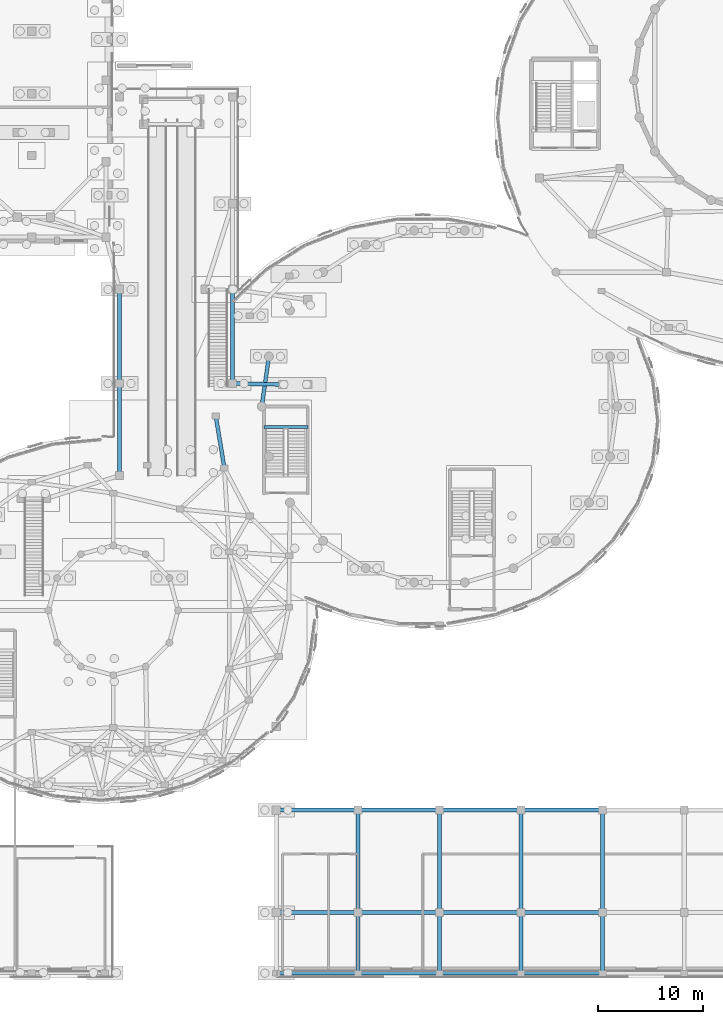
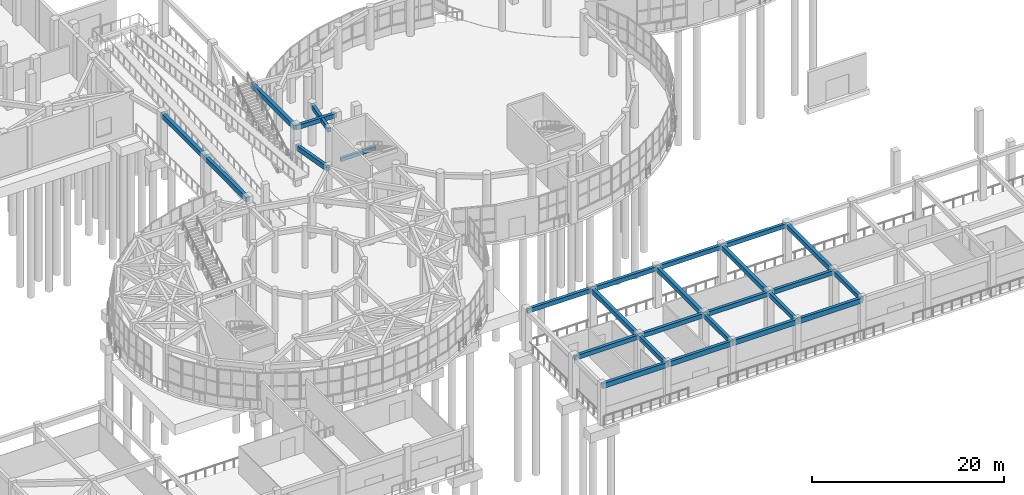
# One storey, part 21 of 96: 27 beams.
"""IFC4 building model written with IfcOpenShell, lengths in metres."""

from ifc_helpers import new_model, si_unit, direction, frame, origin, origin_2d, place, context, subcontext, project, spatial, rectangle, extrude, material, material_profile, profile_set, type_object, element, save


model = new_model("IFC4")

# Units and contexts
model_context = context("Model", 3, precision=1e-05, world=origin(), true_north=direction((0.0, 1.0)))
body_context = subcontext(model_context, "Body", "Model", "MODEL_VIEW")
ifc_project = project(units=[si_unit("LENGTHUNIT", "METRE"), si_unit("AREAUNIT", "SQUARE_METRE"), si_unit("VOLUMEUNIT", "CUBIC_METRE"), si_unit("PLANEANGLEUNIT", "RADIAN"), si_unit("MASSUNIT", "GRAM", prefix="KILO")], contexts=[model_context])

# Site, building, storey
site_placement = place(None, origin())
site = spatial("IfcSite", under=ifc_project, at=site_placement, CompositionType="ELEMENT")
building_placement = place(site_placement, origin())
building = spatial("IfcBuilding", under=site, at=building_placement, Name="Pelvatis Terrace Science Centre", CompositionType="ELEMENT")
storey_placement = place(building_placement, origin())
storey = spatial("IfcBuildingStorey", under=building, at=storey_placement, Name="L00", CompositionType="ELEMENT", Elevation=0.0)

# Beams
ifc_material_1 = material(Name="Concrete C35/45", Category="concrete")
ifc_material_profile_1 = material_profile(ifc_material_1, rectangle(XDim=0.300048828125, YDim=0.449951171875, at=origin_2d()), Name="RC-BM 300x450")
ifc_profile_set_1 = profile_set([ifc_material_profile_1], Name="Concrete C35/45")
beam_type_1 = type_object("IfcBeamType", Name="BM-RC-300x450", PredefinedType="BEAM", material=ifc_profile_set_1)
beam_1_placement = place(storey_placement, frame((61.199951171875, 52.64990234375, 2.260009765625), z_axis=(1.0, 0.0, 0.0), x_axis=(0.0, 1.0, 0.0)))
element("IfcBeam", 1, at=beam_1_placement, inside=storey, type_object=beam_type_1, Name="Stair ST-05 half-landing beam (L00)", PredefinedType="BEAM", context=body_context, shape_type="SweptSolid", body=[
    extrude(rectangle(XDim=0.300048828125, YDim=0.449951171875, at=origin_2d()), origin(), (0.0, 0.0, 1.0), 4.199951171875),
])
ifc_material_2 = material(Name="Concrete C35/45", Category="concrete")
ifc_material_profile_2 = material_profile(ifc_material_2, rectangle(XDim=0.360107421875, YDim=0.550048828125, at=origin_2d()), Name="RC-BM 360x550")
ifc_profile_set_2 = profile_set([ifc_material_profile_2], Name="Concrete C35/45")
beam_type_2 = type_object("IfcBeamType", Name="BM-RC-360x550", PredefinedType="BEAM", material=ifc_profile_set_2)
beam_2_placement = place(storey_placement, frame((61.688720703125, 59.389404296875, 4.864990234375), z_axis=(-0.142339615489, -0.989817879139, 0.0), x_axis=(0.989817879139, -0.142339615489, 0.0)))
element("IfcBeam", 2, at=beam_2_placement, inside=storey, type_object=beam_type_2, Name="Beam BM-L00-2209", PredefinedType="BEAM", context=body_context, shape_type="SweptSolid", body=[
    extrude(rectangle(XDim=0.360107421875, YDim=0.550048828125, at=origin_2d()), origin(), (0.0, 0.0, 1.0), 4.838623046875),
])
for number, where, z_axis, x_axis, name in (
    (3, (62.39990234375, 6.199951171875, 4.864990234375), (1.0, 0.0, 0.0), (0.0, 1.0, 0.0), "Beam BM-L00-2397"),
    (4, (62.39990234375, 16.0, 4.864990234375), (1.0, 0.0, 0.0), (0.0, 1.0, 0.0), "Beam BM-L00-2398"),
):
    element("IfcBeam", number, at=place(storey_placement, frame(where, z_axis=z_axis, x_axis=x_axis)), inside=storey, type_object=beam_type_2, Name=name, PredefinedType="BEAM", context=body_context, shape_type="SweptSolid", body=[
        extrude(rectangle(XDim=0.360107421875, YDim=0.550048828125, at=origin_2d()), origin(), (0.0, 0.0, 1.0), 7.800048828125),
    ])
beam_3_placement = place(storey_placement, frame((70.199951171875, 0.39990234375, 4.864990234375), z_axis=(0.0, 1.0, 0.0), x_axis=(-1.0, 0.0, 0.0)))
element("IfcBeam", 5, at=beam_3_placement, inside=storey, type_object=beam_type_2, Name="Beam BM-L00-2399", PredefinedType="BEAM", context=body_context, shape_type="SweptSolid", body=[
    extrude(rectangle(XDim=0.360107421875, YDim=0.550048828125, at=origin_2d()), origin(), (0.0, 0.0, 1.0), 5.800048828125),
])
for number, where, z_axis, x_axis, name in (
    (6, (70.199951171875, 6.199951171875, 4.864990234375), (1.0, 0.0, 0.0), (0.0, 1.0, 0.0), "Beam BM-L00-2402"),
    (7, (70.199951171875, 16.0, 4.864990234375), (1.0, 0.0, 0.0), (0.0, 1.0, 0.0), "Beam BM-L00-2403"),
):
    element("IfcBeam", number, at=place(storey_placement, frame(where, z_axis=z_axis, x_axis=x_axis)), inside=storey, type_object=beam_type_2, Name=name, PredefinedType="BEAM", context=body_context, shape_type="SweptSolid", body=[
        extrude(rectangle(XDim=0.360107421875, YDim=0.550048828125, at=origin_2d()), origin(), (0.0, 0.0, 1.0), 7.800048828125),
    ])
beam_4_placement = place(storey_placement, frame((78.0, 0.39990234375, 4.864990234375), z_axis=(0.0, 1.0, 0.0), x_axis=(-1.0, 0.0, 0.0)))
element("IfcBeam", 8, at=beam_4_placement, inside=storey, type_object=beam_type_2, Name="Beam BM-L00-2404", PredefinedType="BEAM", context=body_context, shape_type="SweptSolid", body=[
    extrude(rectangle(XDim=0.360107421875, YDim=0.550048828125, at=origin_2d()), origin(), (0.0, 0.0, 1.0), 5.800048828125),
])
for number, where, z_axis, x_axis, name in (
    (9, (78.0, 6.199951171875, 4.864990234375), (1.0, 0.0, 0.0), (0.0, 1.0, 0.0), "Beam BM-L00-2407"),
    (10, (78.0, 16.0, 4.864990234375), (1.0, 0.0, 0.0), (0.0, 1.0, 0.0), "Beam BM-L00-2408"),
):
    element("IfcBeam", number, at=place(storey_placement, frame(where, z_axis=z_axis, x_axis=x_axis)), inside=storey, type_object=beam_type_2, Name=name, PredefinedType="BEAM", context=body_context, shape_type="SweptSolid", body=[
        extrude(rectangle(XDim=0.360107421875, YDim=0.550048828125, at=origin_2d()), origin(), (0.0, 0.0, 1.0), 7.800048828125),
    ])
beam_5_placement = place(storey_placement, frame((85.800048828125, 0.39990234375, 4.864990234375), z_axis=(0.0, 1.0, 0.0), x_axis=(-1.0, 0.0, 0.0)))
element("IfcBeam", 11, at=beam_5_placement, inside=storey, type_object=beam_type_2, Name="Beam BM-L00-2409", PredefinedType="BEAM", context=body_context, shape_type="SweptSolid", body=[
    extrude(rectangle(XDim=0.360107421875, YDim=0.550048828125, at=origin_2d()), origin(), (0.0, 0.0, 1.0), 5.800048828125),
])
for number, where, z_axis, x_axis, name in (
    (12, (85.800048828125, 6.199951171875, 4.864990234375), (1.0, 0.0, 0.0), (0.0, 1.0, 0.0), "Beam BM-L00-2412"),
    (13, (85.800048828125, 16.0, 4.864990234375), (1.0, 0.0, 0.0), (0.0, 1.0, 0.0), "Beam BM-L00-2413"),
):
    element("IfcBeam", number, at=place(storey_placement, frame(where, z_axis=z_axis, x_axis=x_axis)), inside=storey, type_object=beam_type_2, Name=name, PredefinedType="BEAM", context=body_context, shape_type="SweptSolid", body=[
        extrude(rectangle(XDim=0.360107421875, YDim=0.550048828125, at=origin_2d()), origin(), (0.0, 0.0, 1.0), 7.800048828125),
    ])
beam_6_placement = place(storey_placement, frame((93.60009765625, 0.39990234375, 4.864990234375), z_axis=(0.0, 1.0, 0.0), x_axis=(-1.0, 0.0, 0.0)))
element("IfcBeam", 14, at=beam_6_placement, inside=storey, type_object=beam_type_2, Name="Beam BM-L00-2414", PredefinedType="BEAM", context=body_context, shape_type="SweptSolid", body=[
    extrude(rectangle(XDim=0.360107421875, YDim=0.550048828125, at=origin_2d()), origin(), (0.0, 0.0, 1.0), 5.800048828125),
])
beam_7_placement = place(storey_placement, frame((58.199951171875, 56.800048828125, 4.864990234375), z_axis=(0.999782637363, -0.020848933489, 0.0), x_axis=(0.020848933489, 0.999782637363, 0.0)))
element("IfcBeam", 15, at=beam_7_placement, inside=storey, type_object=beam_type_2, Name="Beam BM-L00-2530", PredefinedType="BEAM", context=body_context, shape_type="SweptSolid", body=[
    extrude(rectangle(XDim=0.360107421875, YDim=0.550048828125, at=origin_2d()), origin(), (0.0, 0.0, 1.0), 4.801025390625),
])
ifc_material_3 = material(Name="Concrete C35/45", Category="concrete")
ifc_material_profile_3 = material_profile(ifc_material_3, rectangle(XDim=0.39990234375, YDim=0.60009765625, at=origin_2d()), Name="RC-BM 400x600")
ifc_profile_set_3 = profile_set([ifc_material_profile_3], Name="Concrete C35/45")
beam_type_3 = type_object("IfcBeamType", Name="BM-RC-400x600", PredefinedType="BEAM", material=ifc_profile_set_3)
for number, where, z_axis, x_axis, name in (
    (16, (70.199951171875, 6.199951171875, 4.840087890625), (0.0, 1.0, 0.0), (-1.0, 0.0, 0.0), "Beam BM-L00-2401"),
    (17, (78.0, 6.199951171875, 4.840087890625), (0.0, 1.0, 0.0), (-1.0, 0.0, 0.0), "Beam BM-L00-2406"),
    (18, (85.800048828125, 6.199951171875, 4.840087890625), (0.0, 1.0, 0.0), (-1.0, 0.0, 0.0), "Beam BM-L00-2411"),
    (19, (93.60009765625, 6.199951171875, 4.840087890625), (0.0, 1.0, 0.0), (-1.0, 0.0, 0.0), "Beam BM-L00-2416"),
):
    element("IfcBeam", number, at=place(storey_placement, frame(where, z_axis=z_axis, x_axis=x_axis)), inside=storey, type_object=beam_type_3, Name=name, PredefinedType="BEAM", context=body_context, shape_type="SweptSolid", body=[
        extrude(rectangle(XDim=0.39990234375, YDim=0.60009765625, at=origin_2d()), origin(), (0.0, 0.0, 1.0), 9.800048828125),
    ])
beam_8_placement = place(storey_placement, frame((47.39990234375, 48.0, 4.840087890625), z_axis=(0.0, 1.0, 0.0), x_axis=(-1.0, 0.0, 0.0)))
element("IfcBeam", 20, at=beam_8_placement, inside=storey, type_object=beam_type_3, Name="Beam BM-L00-2526", PredefinedType="BEAM", context=body_context, shape_type="SweptSolid", body=[
    extrude(rectangle(XDim=0.39990234375, YDim=0.60009765625, at=origin_2d()), origin(), (0.0, 0.0, 1.0), 8.800048828125),
])
for number, where, z_axis, x_axis, name in (
    (21, (47.39990234375, 56.800048828125, 4.840087890625), (0.0, 1.0, 0.0), (-1.0, 0.0, 0.0), "Beam BM-L00-2528"),
    (22, (58.199951171875, 56.800048828125, 4.840087890625), (0.0, 1.0, 0.0), (-1.0, 0.0, 0.0), "Beam BM-L00-2529"),
):
    element("IfcBeam", number, at=place(storey_placement, frame(where, z_axis=z_axis, x_axis=x_axis)), inside=storey, type_object=beam_type_3, Name=name, PredefinedType="BEAM", context=body_context, shape_type="SweptSolid", body=[
        extrude(rectangle(XDim=0.39990234375, YDim=0.60009765625, at=origin_2d()), origin(), (0.0, 0.0, 1.0), 9.0),
    ])
ifc_material_4 = material(Name="Concrete C35/45", Category="concrete")
ifc_material_profile_4 = material_profile(ifc_material_4, rectangle(XDim=0.360107421875, YDim=0.639892578125, at=origin_2d()), Name="RC-SPN 360x640")
ifc_profile_set_4 = profile_set([ifc_material_profile_4], Name="Concrete C35/45")
beam_type_4 = type_object("IfcBeamType", Name="SPN-RC-360x640", PredefinedType="SPANDREL", material=ifc_profile_set_4)
beam_9_placement = place(storey_placement, frame((56.60009765625, 53.699951171875, 4.820068359375), z_axis=(0.163451164111, -0.98655142641, 0.0), x_axis=(0.98655142641, 0.163451164111, 0.0)))
element("IfcBeam", 23, at=beam_9_placement, inside=storey, type_object=beam_type_4, Name="Spandrel SP-L00-2302", PredefinedType="SPANDREL", context=body_context, shape_type="SweptSolid", body=[
    extrude(rectangle(XDim=0.360107421875, YDim=0.639892578125, at=origin_2d()), origin(), (0.0, 0.0, 1.0), 5.054443359375),
])
for number, where, z_axis, x_axis, name in (
    (24, (62.39990234375, 0.39990234375, 4.820068359375), (1.0, 0.0, 0.0), (0.0, 1.0, 0.0), "Spandrel SP-L00-2395"),
    (25, (70.199951171875, 0.39990234375, 4.820068359375), (1.0, 0.0, 0.0), (0.0, 1.0, 0.0), "Spandrel SP-L00-2400"),
    (26, (78.0, 0.39990234375, 4.820068359375), (1.0, 0.0, 0.0), (0.0, 1.0, 0.0), "Spandrel SP-L00-2405"),
    (27, (85.800048828125, 0.39990234375, 4.820068359375), (1.0, 0.0, 0.0), (0.0, 1.0, 0.0), "Spandrel SP-L00-2410"),
):
    element("IfcBeam", number, at=place(storey_placement, frame(where, z_axis=z_axis, x_axis=x_axis)), inside=storey, type_object=beam_type_4, Name=name, PredefinedType="SPANDREL", context=body_context, shape_type="SweptSolid", body=[
        extrude(rectangle(XDim=0.360107421875, YDim=0.639892578125, at=origin_2d()), origin(), (0.0, 0.0, 1.0), 7.800048828125),
    ])

save(model, "model.ifc")
